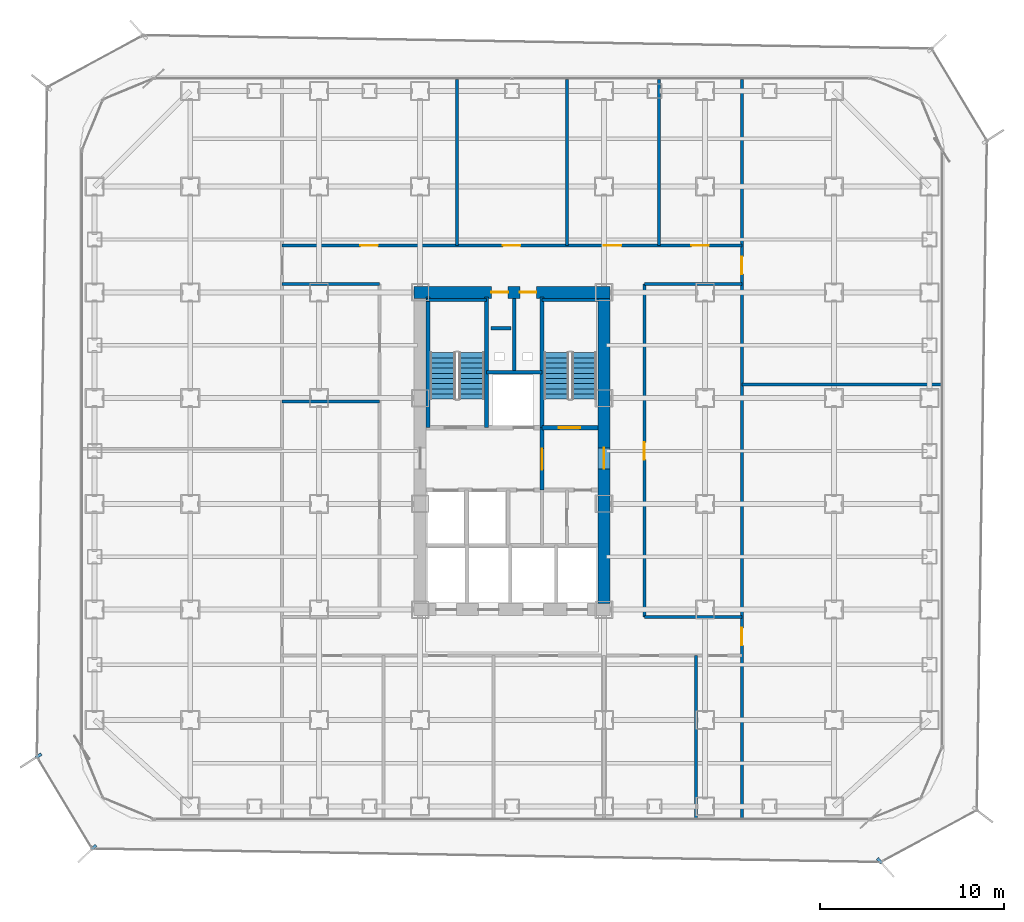
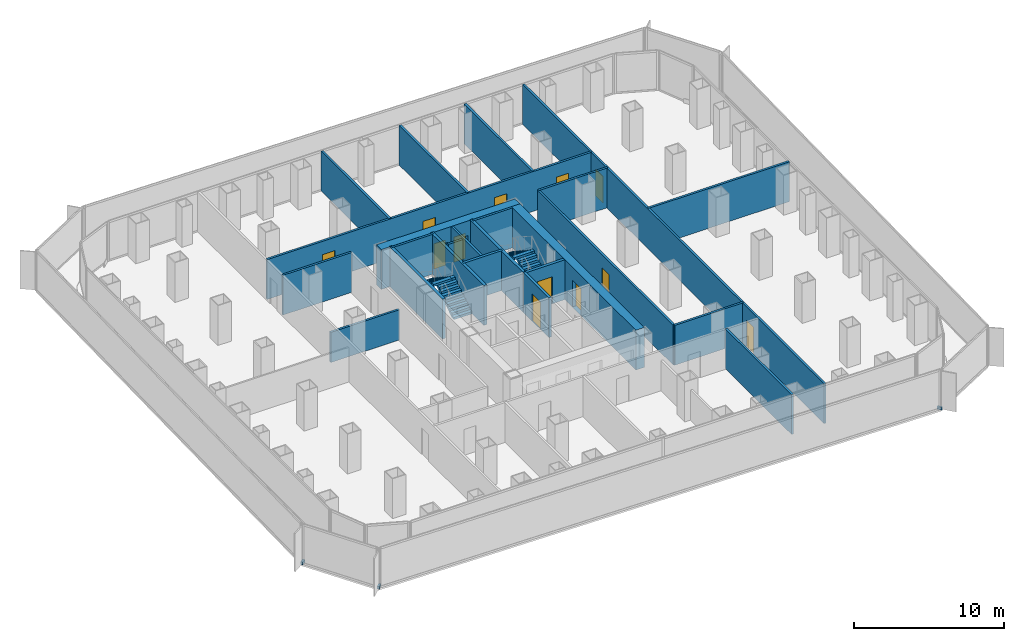
# One storey, part 18 of 22: 24 walls, 12 doors, 4 stair flights, 3 discrete accessories, 12 openings, 2 elements without a shape of their own.
"""IFC4 building model written with IfcOpenShell, lengths in metres."""

from ifc_helpers import new_model, si_unit, direction, frame, frame_2d, origin, origin_2d, place, context, subcontext, project, spatial, polyline, rectangle, outline, extrude, source, transform, mapped, material, layer, layer_set, type_object, element, fill, aggregate, save


model = new_model("IFC4")

# Units and contexts
model_context = context("Model", 3, precision=1e-05, world=origin(), true_north=direction((0.0, 1.0)))
body_context = subcontext(model_context, "Body", "Model", "MODEL_VIEW")
ifc_project = project(units=[si_unit("LENGTHUNIT", "METRE"), si_unit("AREAUNIT", "SQUARE_METRE"), si_unit("VOLUMEUNIT", "CUBIC_METRE"), si_unit("PLANEANGLEUNIT", "RADIAN"), si_unit("MASSUNIT", "GRAM", prefix="KILO")], contexts=[model_context])

# Site, building, storey
site_placement = place(None, origin())
site = spatial("IfcSite", under=ifc_project, at=site_placement, CompositionType="ELEMENT")
building_placement = place(site_placement, origin())
building = spatial("IfcBuilding", under=site, at=building_placement, Name="Kolveth Station Tower", CompositionType="ELEMENT")
storey_placement = place(building_placement, frame((0.0, 0.0, 72.89990234375)))
storey = spatial("IfcBuildingStorey", under=building, at=storey_placement, Name="L19", CompositionType="ELEMENT", Elevation=72.89990234375)

# Wall, openings, doors
ifc_material_1 = material(Name="Concrete C60/75", Category="concrete")
ifc_layer_1 = layer(ifc_material_1, 0.64990234375)
ifc_layer_set_1 = layer_set([ifc_layer_1], Name="Concrete C60/75")
wall_type_1 = type_object("IfcWallType", Name="Wall_CW-650", PredefinedType="SHEAR", material=ifc_layer_set_1)
wall_1_placement = place(storey_placement, frame((18.175048828125, 28.75, 0.0), z_axis=(0.0, 0.0, 1.0), x_axis=(1.0, 0.0, 0.0)))
wall_1 = element("IfcWall", 1, at=wall_1_placement, inside=storey, type_object=wall_type_1, Name="L19 Core RC Shear Wall N", PredefinedType="SHEAR", context=body_context, shape_type="SweptSolid", body=[
    extrude(rectangle(XDim=10.64990234375, YDim=0.64990234375, at=frame_2d((5.324951171875, 0.0))), origin(), (0.0, 0.0, 1.0), 3.239990234375),
])
opening_1_placement = place(wall_1_placement, frame((4.205078125, 0.0, 0.0)))
opening_1 = element("IfcOpeningElement", 2, at=opening_1_placement, cuts=wall_1, Name="Opening RD1", PredefinedType="OPENING", context=body_context, shape_type="SweptSolid", body=[
    extrude(rectangle(XDim=0.89990234375, YDim=2.050048828125, at=frame_2d((0.449951171875, 1.02490234375))), frame((0.0, 0.3349609375, 0.0), z_axis=(0.0, -1.0, 0.0), x_axis=(1.0, 0.0, 0.0)), (0.0, 0.0, 1.0), 0.669921875),
])
opening_2_placement = place(wall_1_placement, frame((5.7451171875, 0.0, 0.0)))
opening_2 = element("IfcOpeningElement", 3, at=opening_2_placement, cuts=wall_1, Name="Opening RD1", PredefinedType="OPENING", context=body_context, shape_type="SweptSolid", body=[
    extrude(rectangle(XDim=0.89990234375, YDim=2.050048828125, at=frame_2d((0.449951171875, 1.02490234375))), frame((0.0, 0.3349609375, 0.0), z_axis=(0.0, -1.0, 0.0), x_axis=(1.0, 0.0, 0.0)), (0.0, 0.0, 1.0), 0.669921875),
])
ifc_material_2 = material(Name="Fire-rated Steel S355 riser access leaf", Category="steel")
door_type_1 = type_object("IfcDoorType", Name="Door_RD1", OperationType="NOTDEFINED", PredefinedType="DOOR", material=ifc_material_2)
door_1_placement = place(opening_1_placement, origin())
door_1 = element("IfcDoor", 4, at=door_1_placement, inside=storey, type_object=door_type_1, Name="L19 Electrical Riser Access Door", OperationType="SINGLE_SWING_LEFT", OverallHeight=2.050048828125, OverallWidth=0.89990234375, PredefinedType="DOOR", context=body_context, shape_type="SweptSolid", body=[
    extrude(rectangle(XDim=0.89990234375, YDim=2.050048828125, at=frame_2d((0.449951171875, 1.02490234375))), frame((0.0, 0.02490234375, 0.0), z_axis=(0.0, -1.0, 0.0), x_axis=(1.0, 0.0, 0.0)), (0.0, 0.0, 1.0), 0.050048828125),
])
fill(opening_1, door_1)
door_2_placement = place(opening_2_placement, origin())
door_2 = element("IfcDoor", 5, at=door_2_placement, inside=storey, type_object=door_type_1, Name="L19 Smoke Duct Access Door", OperationType="SINGLE_SWING_RIGHT", OverallHeight=2.050048828125, OverallWidth=0.89990234375, PredefinedType="DOOR", context=body_context, shape_type="SweptSolid", body=[
    extrude(rectangle(XDim=0.89990234375, YDim=2.050048828125, at=frame_2d((0.449951171875, 1.02490234375))), frame((0.0, 0.02490234375, 0.0), z_axis=(0.0, -1.0, 0.0), x_axis=(1.0, 0.0, 0.0)), (0.0, 0.0, 1.0), 0.050048828125),
])
fill(opening_2, door_2)

# Wall, opening, door
wall_2_placement = place(storey_placement, frame((28.5, 11.824951171875, 0.0), z_axis=(0.0, 0.0, 1.0), x_axis=(0.0, 1.0, 0.0)))
wall_2 = element("IfcWall", 6, at=wall_2_placement, inside=storey, type_object=wall_type_1, Name="L19 Core RC Shear Wall E", PredefinedType="SHEAR", context=body_context, shape_type="SweptSolid", body=[
    extrude(rectangle(XDim=16.60009765625, YDim=0.64990234375, at=frame_2d((8.300048828125, 0.0))), origin(), (0.0, 0.0, 1.0), 3.239990234375),
])
opening_3_placement = place(wall_2_placement, frame((7.324951171875, 0.0, 0.0)))
opening_3 = element("IfcOpeningElement", 7, at=opening_3_placement, cuts=wall_2, Name="Opening FD1", PredefinedType="OPENING", context=body_context, shape_type="SweptSolid", body=[
    extrude(rectangle(XDim=1.14990234375, YDim=2.199951171875, at=frame_2d((0.574951171875, 1.10009765625))), frame((0.0, 0.3349609375, 0.0), z_axis=(0.0, -1.0, 0.0), x_axis=(1.0, 0.0, 0.0)), (0.0, 0.0, 1.0), 0.669921875),
])
ifc_material_3 = material(Name="Fire-rated Steel S355 leaf and frame", Category="steel")
door_type_2 = type_object("IfcDoorType", Name="Door_FD1", OperationType="NOTDEFINED", PredefinedType="DOOR", material=ifc_material_3)
door_3_placement = place(opening_3_placement, origin())
door_3 = element("IfcDoor", 8, at=door_3_placement, inside=storey, type_object=door_type_2, Name="L19 East Corridor to Stair Lobby Door", OperationType="SINGLE_SWING_LEFT", OverallHeight=2.199951171875, OverallWidth=1.14990234375, PredefinedType="DOOR", context=body_context, shape_type="SweptSolid", body=[
    extrude(rectangle(XDim=1.14990234375, YDim=2.199951171875, at=frame_2d((0.574951171875, 1.10009765625))), frame((0.0, 0.02490234375, 0.0), z_axis=(0.0, -1.0, 0.0), x_axis=(1.0, 0.0, 0.0)), (0.0, 0.0, 1.0), 0.050048828125),
])
fill(opening_3, door_3)

# Walls
ifc_material_4 = material(Name="Acoustic double-stud gypsum partition")
ifc_layer_2 = layer(ifc_material_4, 0.1650390625)
ifc_layer_set_2 = layer_set([ifc_layer_2], Name="Acoustic double-stud gypsum partition")
wall_type_2 = type_object("IfcWallType", Name="Wall_IW-165", PredefinedType="PARTITIONING", material=ifc_layer_set_2)
wall_3_placement = place(storey_placement, frame((18.8349609375, 28.3349609375, 0.0), z_axis=(0.0, 0.0, 1.0), x_axis=(1.0, 0.0, 0.0)))
element("IfcWall", 9, at=wall_3_placement, inside=storey, type_object=wall_type_2, Name="L19 Stair Shaft Wall WL-L19-ST1-N", PredefinedType="PARTITIONING", context=body_context, shape_type="SweptSolid", body=[
    extrude(rectangle(XDim=3.275146484375, YDim=0.1650390625, at=frame_2d((1.6376953125, 0.0))), origin(), (0.0, 0.0, 1.0), 3.239990234375),
])
wall_4_placement = place(storey_placement, frame((25.1298828125, 28.3349609375, 0.0), z_axis=(0.0, 0.0, 1.0), x_axis=(1.0, 0.0, 0.0)))
element("IfcWall", 10, at=wall_4_placement, inside=storey, type_object=wall_type_2, Name="L19 Stair Shaft Wall WL-L19-ST2-N", PredefinedType="PARTITIONING", context=body_context, shape_type="SweptSolid", body=[
    extrude(rectangle(XDim=3.03515625, YDim=0.1650390625, at=frame_2d((1.517578125, 0.0))), origin(), (0.0, 0.0, 1.0), 3.239990234375),
])
wall_5_placement = place(storey_placement, frame((23.6201171875, 24.39990234375, 0.0), z_axis=(0.0, 0.0, 1.0), x_axis=(0.0, 1.0, 0.0)))
element("IfcWall", 11, at=wall_5_placement, inside=storey, type_object=wall_type_2, Name="L19 Partition Wall WL-L19-RSR-M", PredefinedType="PARTITIONING", context=body_context, shape_type="SweptSolid", body=[
    extrude(rectangle(XDim=4.01513671875, YDim=0.1650390625, at=frame_2d((2.007568359375, 0.0))), origin(), (0.0, 0.0, 1.0), 3.239990234375),
])

# Wall, openings, doors
wall_6_placement = place(storey_placement, frame((11.0, 31.300048828125, 0.0), z_axis=(0.0, 0.0, 1.0), x_axis=(1.0, 0.0, 0.0)))
wall_6 = element("IfcWall", 12, at=wall_6_placement, inside=storey, type_object=wall_type_2, Name="L19 Partition Wall WL-L19-ON", PredefinedType="PARTITIONING", context=body_context, shape_type="SweptSolid", body=[
    extrude(rectangle(XDim=25.0, YDim=0.1650390625, at=frame_2d((12.5, 0.0))), origin(), (0.0, 0.0, 1.0), 3.239990234375),
])
opening_4_placement = place(wall_6_placement, frame((4.25, 0.0, 0.0)))
opening_4 = element("IfcOpeningElement", 13, at=opening_4_placement, cuts=wall_6, Name="Opening ID1", PredefinedType="OPENING", context=body_context, shape_type="SweptSolid", body=[
    extrude(rectangle(XDim=0.949951171875, YDim=2.14990234375, at=frame_2d((0.47509765625, 1.074951171875))), frame((0.0, 0.092529296875, 0.0), z_axis=(0.0, -1.0, 0.0), x_axis=(1.0, 0.0, 0.0)), (0.0, 0.0, 1.0), 0.18505859375),
])
opening_5_placement = place(wall_6_placement, frame((12.0, 0.0, 0.0)))
opening_5 = element("IfcOpeningElement", 14, at=opening_5_placement, cuts=wall_6, Name="Opening ID1", PredefinedType="OPENING", context=body_context, shape_type="SweptSolid", body=[
    extrude(rectangle(XDim=0.949951171875, YDim=2.14990234375, at=frame_2d((0.47509765625, 1.074951171875))), frame((0.0, 0.092529296875, 0.0), z_axis=(0.0, -1.0, 0.0), x_axis=(1.0, 0.0, 0.0)), (0.0, 0.0, 1.0), 0.18505859375),
])
opening_6_placement = place(wall_6_placement, frame((17.5, 0.0, 0.0)))
opening_6 = element("IfcOpeningElement", 15, at=opening_6_placement, cuts=wall_6, Name="Opening ID1", PredefinedType="OPENING", context=body_context, shape_type="SweptSolid", body=[
    extrude(rectangle(XDim=0.949951171875, YDim=2.14990234375, at=frame_2d((0.47509765625, 1.074951171875))), frame((0.0, 0.092529296875, 0.0), z_axis=(0.0, -1.0, 0.0), x_axis=(1.0, 0.0, 0.0)), (0.0, 0.0, 1.0), 0.18505859375),
])
opening_7_placement = place(wall_6_placement, frame((22.25, 0.0, 0.0)))
opening_7 = element("IfcOpeningElement", 16, at=opening_7_placement, cuts=wall_6, Name="Opening ID1", PredefinedType="OPENING", context=body_context, shape_type="SweptSolid", body=[
    extrude(rectangle(XDim=0.949951171875, YDim=2.14990234375, at=frame_2d((0.47509765625, 1.074951171875))), frame((0.0, 0.092529296875, 0.0), z_axis=(0.0, -1.0, 0.0), x_axis=(1.0, 0.0, 0.0)), (0.0, 0.0, 1.0), 0.18505859375),
])
ifc_material_5 = material(Name="Acoustic hardwood leaf and aluminium frame", Category="wood")
door_type_3 = type_object("IfcDoorType", Name="Door_ID1", OperationType="NOTDEFINED", PredefinedType="DOOR", material=ifc_material_5)
door_4_placement = place(opening_4_placement, origin())
door_4 = element("IfcDoor", 17, at=door_4_placement, inside=storey, type_object=door_type_3, Name="L19 Cellular Office D Door", OperationType="SINGLE_SWING_RIGHT", OverallHeight=2.14990234375, OverallWidth=0.949951171875, PredefinedType="DOOR", context=body_context, shape_type="SweptSolid", body=[
    extrude(rectangle(XDim=0.949951171875, YDim=2.14990234375, at=frame_2d((0.47509765625, 1.074951171875))), frame((0.0, 0.02490234375, 0.0), z_axis=(0.0, -1.0, 0.0), x_axis=(1.0, 0.0, 0.0)), (0.0, 0.0, 1.0), 0.050048828125),
])
fill(opening_4, door_4)
door_5_placement = place(opening_5_placement, origin())
door_5 = element("IfcDoor", 18, at=door_5_placement, inside=storey, type_object=door_type_3, Name="L19 Cellular Office E Door", OperationType="SINGLE_SWING_LEFT", OverallHeight=2.14990234375, OverallWidth=0.949951171875, PredefinedType="DOOR", context=body_context, shape_type="SweptSolid", body=[
    extrude(rectangle(XDim=0.949951171875, YDim=2.14990234375, at=frame_2d((0.47509765625, 1.074951171875))), frame((0.0, 0.02490234375, 0.0), z_axis=(0.0, -1.0, 0.0), x_axis=(1.0, 0.0, 0.0)), (0.0, 0.0, 1.0), 0.050048828125),
])
fill(opening_5, door_5)
door_6_placement = place(opening_6_placement, origin())
door_6 = element("IfcDoor", 19, at=door_6_placement, inside=storey, type_object=door_type_3, Name="L19 Cellular Office F Door", OperationType="SINGLE_SWING_LEFT", OverallHeight=2.14990234375, OverallWidth=0.949951171875, PredefinedType="DOOR", context=body_context, shape_type="SweptSolid", body=[
    extrude(rectangle(XDim=0.949951171875, YDim=2.14990234375, at=frame_2d((0.47509765625, 1.074951171875))), frame((0.0, 0.02490234375, 0.0), z_axis=(0.0, -1.0, 0.0), x_axis=(1.0, 0.0, 0.0)), (0.0, 0.0, 1.0), 0.050048828125),
])
fill(opening_6, door_6)
door_7_placement = place(opening_7_placement, origin())
door_7 = element("IfcDoor", 20, at=door_7_placement, inside=storey, type_object=door_type_3, Name="L19 Office Pantry Door", OperationType="SINGLE_SWING_LEFT", OverallHeight=2.14990234375, OverallWidth=0.949951171875, PredefinedType="DOOR", context=body_context, shape_type="SweptSolid", body=[
    extrude(rectangle(XDim=0.949951171875, YDim=2.14990234375, at=frame_2d((0.47509765625, 1.074951171875))), frame((0.0, 0.02490234375, 0.0), z_axis=(0.0, -1.0, 0.0), x_axis=(1.0, 0.0, 0.0)), (0.0, 0.0, 1.0), 0.050048828125),
])
fill(opening_7, door_7)

# Walls
for number, where, z_axis, x_axis, name in (
    (21, (30.699951171875, 11.10009765625, 0.0), (0.0, 0.0, 1.0), (1.0, 0.0, 0.0), "L19 Partition Wall WL-L19-OSET"),
    (22, (11.0, 29.199951171875, 0.0), (0.0, 0.0, 1.0), (1.0, 0.0, 0.0), "L19 Partition Wall WL-L19-ONWB"),
    (23, (30.699951171875, 29.199951171875, 0.0), (0.0, 0.0, 1.0), (1.0, 0.0, 0.0), "L19 Partition Wall WL-L19-ONEB"),
):
    element("IfcWall", number, at=place(storey_placement, frame(where, z_axis=z_axis, x_axis=x_axis)), inside=storey, type_object=wall_type_2, Name=name, PredefinedType="PARTITIONING", context=body_context, shape_type="SweptSolid", body=[
        extrude(rectangle(XDim=5.300048828125, YDim=0.1650390625, at=frame_2d((2.64990234375, 0.0))), origin(), (0.0, 0.0, 1.0), 3.239990234375),
    ])

# Wall, opening, door
wall_7_placement = place(storey_placement, frame((30.699951171875, 11.10009765625, 0.0), z_axis=(0.0, 0.0, 1.0), x_axis=(0.0, 1.0, 0.0)))
wall_7 = element("IfcWall", 24, at=wall_7_placement, inside=storey, type_object=wall_type_2, Name="L19 Partition Wall WL-L19-OCE", PredefinedType="PARTITIONING", context=body_context, shape_type="SweptSolid", body=[
    extrude(rectangle(XDim=18.099853515625, YDim=0.1650390625, at=frame_2d((9.0498046875, 0.0))), origin(), (0.0, 0.0, 1.0), 3.239990234375),
])
opening_8_placement = place(wall_7_placement, frame((8.550048828125, 0.0, 0.0)))
opening_8 = element("IfcOpeningElement", 25, at=opening_8_placement, cuts=wall_7, Name="Opening ID1", PredefinedType="OPENING", context=body_context, shape_type="SweptSolid", body=[
    extrude(rectangle(XDim=0.949951171875, YDim=2.14990234375, at=frame_2d((0.47509765625, 1.074951171875))), frame((0.0, 0.092529296875, 0.0), z_axis=(0.0, -1.0, 0.0), x_axis=(1.0, 0.0, 0.0)), (0.0, 0.0, 1.0), 0.18505859375),
])
door_8_placement = place(opening_8_placement, origin())
door_8 = element("IfcDoor", 26, at=door_8_placement, inside=storey, type_object=door_type_3, Name="L19 Internal Meeting Room E1 Door", OperationType="SINGLE_SWING_RIGHT", OverallHeight=2.14990234375, OverallWidth=0.949951171875, PredefinedType="DOOR", context=body_context, shape_type="SweptSolid", body=[
    extrude(rectangle(XDim=0.949951171875, YDim=2.14990234375, at=frame_2d((0.47509765625, 1.074951171875))), frame((0.0, 0.02490234375, 0.0), z_axis=(0.0, -1.0, 0.0), x_axis=(1.0, 0.0, 0.0)), (0.0, 0.0, 1.0), 0.050048828125),
])
fill(opening_8, door_8)

# Wall, openings, doors
wall_8_placement = place(storey_placement, frame((36.0, 0.159912109375, 0.0), z_axis=(0.0, 0.0, 1.0), x_axis=(0.0, 1.0, 0.0)))
wall_8 = element("IfcWall", 27, at=wall_8_placement, inside=storey, type_object=wall_type_2, Name="L19 Partition Wall WL-L19-OEEND", PredefinedType="PARTITIONING", context=body_context, shape_type="SweptSolid", body=[
    extrude(rectangle(XDim=40.18017578125, YDim=0.1650390625, at=frame_2d((20.090087890625, 0.0))), origin(), (0.0, 0.0, 1.0), 3.239990234375),
])
opening_9_placement = place(wall_8_placement, frame((9.389892578125, 0.0, 0.0)))
opening_9 = element("IfcOpeningElement", 28, at=opening_9_placement, cuts=wall_8, Name="Opening ID1", PredefinedType="OPENING", context=body_context, shape_type="SweptSolid", body=[
    extrude(rectangle(XDim=0.949951171875, YDim=2.14990234375, at=frame_2d((0.47509765625, 1.074951171875))), frame((0.0, 0.092529296875, 0.0), z_axis=(0.0, -1.0, 0.0), x_axis=(1.0, 0.0, 0.0)), (0.0, 0.0, 1.0), 0.18505859375),
])
opening_10_placement = place(wall_8_placement, frame((29.590087890625, 0.0, 0.0)))
opening_10 = element("IfcOpeningElement", 29, at=opening_10_placement, cuts=wall_8, Name="Opening ID1", PredefinedType="OPENING", context=body_context, shape_type="SweptSolid", body=[
    extrude(rectangle(XDim=0.949951171875, YDim=2.14990234375, at=frame_2d((0.47509765625, 1.074951171875))), frame((0.0, 0.092529296875, 0.0), z_axis=(0.0, -1.0, 0.0), x_axis=(1.0, 0.0, 0.0)), (0.0, 0.0, 1.0), 0.18505859375),
])
door_9_placement = place(opening_9_placement, origin())
door_9 = element("IfcDoor", 30, at=door_9_placement, inside=storey, type_object=door_type_3, Name="L19 East-South Wing Door", OperationType="SINGLE_SWING_RIGHT", OverallHeight=2.14990234375, OverallWidth=0.949951171875, PredefinedType="DOOR", context=body_context, shape_type="SweptSolid", body=[
    extrude(rectangle(XDim=0.949951171875, YDim=2.14990234375, at=frame_2d((0.47509765625, 1.074951171875))), frame((0.0, 0.02490234375, 0.0), z_axis=(0.0, -1.0, 0.0), x_axis=(1.0, 0.0, 0.0)), (0.0, 0.0, 1.0), 0.050048828125),
])
fill(opening_9, door_9)
door_10_placement = place(opening_10_placement, origin())
door_10 = element("IfcDoor", 31, at=door_10_placement, inside=storey, type_object=door_type_3, Name="L19 East-North Wing Door", OperationType="SINGLE_SWING_LEFT", OverallHeight=2.14990234375, OverallWidth=0.949951171875, PredefinedType="DOOR", context=body_context, shape_type="SweptSolid", body=[
    extrude(rectangle(XDim=0.949951171875, YDim=2.14990234375, at=frame_2d((0.47509765625, 1.074951171875))), frame((0.0, 0.02490234375, 0.0), z_axis=(0.0, -1.0, 0.0), x_axis=(1.0, 0.0, 0.0)), (0.0, 0.0, 1.0), 0.050048828125),
])
fill(opening_10, door_10)

# Walls
wall_9_placement = place(storey_placement, frame((33.5, 0.159912109375, 0.0), z_axis=(0.0, 0.0, 1.0), x_axis=(0.0, 1.0, 0.0)))
element("IfcWall", 32, at=wall_9_placement, inside=storey, type_object=wall_type_2, Name="L19 Partition Wall WL-L19-OS-P4", PredefinedType="PARTITIONING", context=body_context, shape_type="SweptSolid", body=[
    extrude(rectangle(XDim=8.840087890625, YDim=0.1650390625, at=frame_2d((4.419921875, 0.0))), origin(), (0.0, 0.0, 1.0), 3.239990234375),
])
for number, where, z_axis, x_axis, name in (
    (33, (20.5, 31.300048828125, 0.0), (0.0, 0.0, 1.0), (0.0, 1.0, 0.0), "L19 Partition Wall WL-L19-ON-P1"),
    (34, (26.5, 31.300048828125, 0.0), (0.0, 0.0, 1.0), (0.0, 1.0, 0.0), "L19 Partition Wall WL-L19-ON-P2"),
    (35, (31.5, 31.300048828125, 0.0), (0.0, 0.0, 1.0), (0.0, 1.0, 0.0), "L19 Partition Wall WL-L19-ON-P3"),
):
    element("IfcWall", number, at=place(storey_placement, frame(where, z_axis=z_axis, x_axis=x_axis)), inside=storey, type_object=wall_type_2, Name=name, PredefinedType="PARTITIONING", context=body_context, shape_type="SweptSolid", body=[
        extrude(rectangle(XDim=9.0400390625, YDim=0.1650390625, at=frame_2d((4.52001953125, 0.0))), origin(), (0.0, 0.0, 1.0), 3.239990234375),
    ])
wall_10_placement = place(storey_placement, frame((36.0, 23.75, 0.0), z_axis=(0.0, 0.0, 1.0), x_axis=(1.0, 0.0, 0.0)))
element("IfcWall", 36, at=wall_10_placement, inside=storey, type_object=wall_type_2, Name="L19 Partition Wall WL-L19-OEM", PredefinedType="PARTITIONING", context=body_context, shape_type="SweptSolid", body=[
    extrude(rectangle(XDim=10.840087890625, YDim=0.1650390625, at=frame_2d((5.419921875, 0.0))), origin(), (0.0, 0.0, 1.0), 3.239990234375),
])
wall_11_placement = place(storey_placement, frame((11.0, 22.825927734375, 0.0), z_axis=(0.0, 0.0, 1.0), x_axis=(1.0, 0.0, 0.0)))
element("IfcWall", 37, at=wall_11_placement, inside=storey, type_object=wall_type_2, Name="L19 Partition Wall WL-L19-OIW-P1", PredefinedType="PARTITIONING", context=body_context, shape_type="SweptSolid", body=[
    extrude(rectangle(XDim=5.300048828125, YDim=0.1650390625, at=frame_2d((2.64990234375, 0.0))), origin(), (0.0, 0.0, 1.0), 2.458984375),
])
wall_12_placement = place(storey_placement, frame((22.35009765625, 26.800048828125, 0.0), z_axis=(0.0, 0.0, 1.0), x_axis=(1.0, 0.0, 0.0)))
element("IfcWall", 38, at=wall_12_placement, inside=storey, type_object=wall_type_2, Name="L19 Acoustic Riser Dry-Lining Wall", PredefinedType="PARTITIONING", context=body_context, shape_type="SweptSolid", body=[
    extrude(rectangle(XDim=1.099853515625, YDim=0.1650390625, at=frame_2d((0.5498046875, 0.0))), origin(), (0.0, 0.0, 1.0), 3.239990234375),
])
ifc_material_6 = material(Name="Acoustic fire-rated gypsum blockwork", Category="masonry")
ifc_layer_3 = layer(ifc_material_6, 0.199951171875)
ifc_layer_set_3 = layer_set([ifc_layer_3], Name="Acoustic fire-rated gypsum blockwork")
wall_type_3 = type_object("IfcWallType", Name="Wall_IW-200", PredefinedType="PARTITIONING", material=ifc_layer_set_3)
wall_13_placement = place(storey_placement, frame((22.110107421875, 24.39990234375, 0.0), z_axis=(0.0, 0.0, 1.0), x_axis=(1.0, 0.0, 0.0)))
element("IfcWall", 39, at=wall_13_placement, inside=storey, type_object=wall_type_3, Name="L19 Partition Wall WL-L19-RSR-S", PredefinedType="PARTITIONING", context=body_context, shape_type="SweptSolid", body=[
    extrude(rectangle(XDim=3.019775390625, YDim=0.199951171875, at=frame_2d((1.509765625, 0.0))), origin(), (0.0, 0.0, 1.0), 3.239990234375),
])

# Wall, opening, door
wall_14_placement = place(storey_placement, frame((25.1298828125, 18.0, 0.0), z_axis=(0.0, 0.0, 1.0), x_axis=(0.0, 1.0, 0.0)))
wall_14 = element("IfcWall", 40, at=wall_14_placement, inside=storey, type_object=wall_type_3, Name="L19 Partition Wall WL-L19-FFL-E", PredefinedType="PARTITIONING", context=body_context, shape_type="SweptSolid", body=[
    extrude(rectangle(XDim=3.389892578125, YDim=0.199951171875, at=frame_2d((1.69482421875, 0.0))), origin(), (0.0, 0.0, 1.0), 3.239990234375),
])
opening_11_placement = place(wall_14_placement, frame((1.10009765625, 0.0, 0.0)))
opening_11 = element("IfcOpeningElement", 41, at=opening_11_placement, cuts=wall_14, Name="Opening FD1", PredefinedType="OPENING", context=body_context, shape_type="SweptSolid", body=[
    extrude(rectangle(XDim=1.14990234375, YDim=2.199951171875, at=frame_2d((0.574951171875, 1.10009765625))), frame((0.0, 0.10986328125, 0.0), z_axis=(0.0, -1.0, 0.0), x_axis=(1.0, 0.0, 0.0)), (0.0, 0.0, 1.0), 0.219970703125),
])
door_11_placement = place(opening_11_placement, origin())
door_11 = element("IfcDoor", 42, at=door_11_placement, inside=storey, type_object=door_type_2, Name="L19 Firefighting to Stair Lobby Door", OperationType="SINGLE_SWING_LEFT", OverallHeight=2.199951171875, OverallWidth=1.14990234375, PredefinedType="DOOR", context=body_context, shape_type="SweptSolid", body=[
    extrude(rectangle(XDim=1.14990234375, YDim=2.199951171875, at=frame_2d((0.574951171875, 1.10009765625))), frame((0.0, 0.02490234375, 0.0), z_axis=(0.0, -1.0, 0.0), x_axis=(1.0, 0.0, 0.0)), (0.0, 0.0, 1.0), 0.050048828125),
])
fill(opening_11, door_11)

# Walls
ifc_material_7 = material(Name="Concrete C40/50", Category="concrete")
ifc_layer_4 = layer(ifc_material_7, 0.219970703125)
ifc_layer_set_4 = layer_set([ifc_layer_4], Name="Concrete C40/50")
wall_type_4 = type_object("IfcWallType", Name="Wall_IW-220", PredefinedType="SOLIDWALL", material=ifc_layer_set_4)
for number, where, z_axis, x_axis, name in (
    (43, (18.929931640625, 21.389892578125, 0.0), (0.0, 0.0, 1.0), (0.0, 1.0, 0.0), "L19 Stair Shaft Wall WL-L19-ST1-W"),
    (44, (22.110107421875, 21.389892578125, 0.0), (0.0, 0.0, 1.0), (0.0, 1.0, 0.0), "L19 Stair Shaft Wall WL-L19-ST1-E"),
    (45, (25.1298828125, 21.389892578125, 0.0), (0.0, 0.0, 1.0), (0.0, 1.0, 0.0), "L19 Stair Shaft Wall WL-L19-ST2-W"),
):
    element("IfcWall", number, at=place(storey_placement, frame(where, z_axis=z_axis, x_axis=x_axis)), inside=storey, type_object=wall_type_4, Name=name, PredefinedType="SOLIDWALL", context=body_context, shape_type="SweptSolid", body=[
        extrude(rectangle(XDim=7.110107421875, YDim=0.219970703125, at=frame_2d((3.55517578125, 0.0))), origin(), (0.0, 0.0, 1.0), 3.239990234375),
    ])

# Wall, opening, door
wall_15_placement = place(storey_placement, frame((25.1298828125, 21.389892578125, 0.0), z_axis=(0.0, 0.0, 1.0), x_axis=(1.0, 0.0, 0.0)))
wall_15 = element("IfcWall", 46, at=wall_15_placement, inside=storey, type_object=wall_type_4, Name="L19 Stair Shaft Wall WL-L19-ST2-S", PredefinedType="SOLIDWALL", context=body_context, shape_type="SweptSolid", body=[
    extrude(rectangle(XDim=3.03515625, YDim=0.219970703125, at=frame_2d((1.517578125, 0.0))), origin(), (0.0, 0.0, 1.0), 3.239990234375),
])
opening_12_placement = place(wall_15_placement, frame((0.919921875, 0.0, 0.0)))
opening_12 = element("IfcOpeningElement", 47, at=opening_12_placement, cuts=wall_15, Name="Opening FD1", PredefinedType="OPENING", context=body_context, shape_type="SweptSolid", body=[
    extrude(rectangle(XDim=1.14990234375, YDim=2.199951171875, at=frame_2d((0.574951171875, 1.10009765625))), frame((0.0, 0.119873046875, 0.0), z_axis=(0.0, -1.0, 0.0), x_axis=(1.0, 0.0, 0.0)), (0.0, 0.0, 1.0), 0.239990234375),
])
door_12_placement = place(opening_12_placement, frame((1.14990234375, 0.0, 0.0), z_axis=(0.0, 0.0, 1.0), x_axis=(-1.0, 0.0, 0.0)))
door_12 = element("IfcDoor", 48, at=door_12_placement, inside=storey, type_object=door_type_2, Name="L19 Stair ST2 Fire Door", OperationType="SINGLE_SWING_RIGHT", OverallHeight=2.199951171875, OverallWidth=1.14990234375, PredefinedType="DOOR", context=body_context, shape_type="SweptSolid", body=[
    extrude(rectangle(XDim=1.14990234375, YDim=2.199951171875, at=frame_2d((0.574951171875, 1.10009765625))), frame((0.0, 0.02490234375, 0.0), z_axis=(0.0, -1.0, 0.0), x_axis=(1.0, 0.0, 0.0)), (0.0, 0.0, 1.0), 0.050048828125),
])
fill(opening_12, door_12)

# Stair, stair flights
stair_type_1 = type_object("IfcStairType", Name="Stair_ST1", PredefinedType="HALF_TURN_STAIR", material=ifc_material_7)
stair_1_placement = place(storey_placement, origin())
stair_1 = element("IfcStair", 49, at=stair_1_placement, inside=storey, type_object=stair_type_1, Name="L19 Tower Exit Stair ST1", PredefinedType="HALF_TURN_STAIR")
ifc_layer_5 = layer(ifc_material_7, 0.179931640625)
ifc_layer_set_5 = layer_set([ifc_layer_5], Name="Concrete C40/50")
stair_flight_type_1 = type_object("IfcStairFlightType", Name="Flight_ST1", PredefinedType="STRAIGHT", material=ifc_layer_set_5)
stair_flight_1_placement = place(storey_placement, frame((21.300048828125, 22.949951171875, 0.0), z_axis=(0.0, 0.0, 1.0), x_axis=(0.0, 1.0, 0.0)))
stair_flight_1 = element("IfcStairFlight", 50, at=stair_flight_1_placement, type_object=stair_flight_type_1, Name="ST1 flight 1", NumberOfRisers=10, NumberOfTreads=9, PredefinedType="STRAIGHT", RiserHeight=0.18, TreadLength=0.28, context=body_context, shape_type="SweptSolid", body=[
    extrude(outline(polyline([(0.0, 0.0), (0.0, 0.179931640625), (0.280029296875, 0.179931640625), (0.280029296875, 0.360107421875), (0.56005859375, 0.360107421875), (0.56005859375, 0.5400390625), (0.840087890625, 0.5400390625), (0.840087890625, 0.719970703125), (1.1201171875, 0.719970703125), (1.1201171875, 0.89990234375), (1.39990234375, 0.89990234375), (1.39990234375, 1.080078125), (1.679931640625, 1.080078125), (1.679931640625, 1.260009765625), (1.9599609375, 1.260009765625), (1.9599609375, 1.43994140625), (2.239990234375, 1.43994140625), (2.239990234375, 1.6201171875), (2.52001953125, 1.6201171875), (2.52001953125, 1.800048828125), (2.52001953125, 1.44189453125), (0.277099609375, 0.0), (0.0, 0.0)])), frame((0.0, 0.699951171875, 0.0), z_axis=(0.0, -1.0, 0.0), x_axis=(1.0, 0.0, 0.0)), (0.0, 0.0, 1.0), 1.39990234375),
])
stair_flight_2_placement = place(storey_placement, frame((19.739990234375, 25.469970703125, 1.800048828125), z_axis=(0.0, 0.0, 1.0), x_axis=(0.0, -1.0, 0.0)))
stair_flight_2 = element("IfcStairFlight", 51, at=stair_flight_2_placement, type_object=stair_flight_type_1, Name="ST1 flight 2", NumberOfRisers=10, NumberOfTreads=9, PredefinedType="STRAIGHT", RiserHeight=0.18, TreadLength=0.28, context=body_context, shape_type="SweptSolid", body=[
    extrude(outline(polyline([(0.0, 0.0), (0.0, 0.179931640625), (0.280029296875, 0.179931640625), (0.280029296875, 0.360107421875), (0.56005859375, 0.360107421875), (0.56005859375, 0.5400390625), (0.840087890625, 0.5400390625), (0.840087890625, 0.719970703125), (1.1201171875, 0.719970703125), (1.1201171875, 0.89990234375), (1.39990234375, 0.89990234375), (1.39990234375, 1.080078125), (1.679931640625, 1.080078125), (1.679931640625, 1.260009765625), (1.9599609375, 1.260009765625), (1.9599609375, 1.43994140625), (2.239990234375, 1.43994140625), (2.239990234375, 1.6201171875), (2.52001953125, 1.6201171875), (2.52001953125, 1.800048828125), (2.52001953125, 1.44189453125), (0.277099609375, 0.0), (0.0, 0.0)])), frame((0.0, 0.699951171875, 0.0), z_axis=(0.0, -1.0, 0.0), x_axis=(1.0, 0.0, 0.0)), (0.0, 0.0, 1.0), 1.39990234375),
])
aggregate(stair_1, [stair_flight_1, stair_flight_2])

stair_type_2 = type_object("IfcStairType", Name="Stair_ST2", PredefinedType="HALF_TURN_STAIR", material=ifc_material_7)
stair_2_placement = place(storey_placement, origin())
stair_2 = element("IfcStair", 52, at=stair_2_placement, inside=storey, type_object=stair_type_2, Name="L19 Tower Exit Stair ST2", PredefinedType="HALF_TURN_STAIR")
ifc_layer_6 = layer(ifc_material_7, 0.179931640625)
ifc_layer_set_6 = layer_set([ifc_layer_6], Name="Concrete C40/50")
stair_flight_type_2 = type_object("IfcStairFlightType", Name="Flight_ST2", PredefinedType="STRAIGHT", material=ifc_layer_set_6)
stair_flight_3_placement = place(storey_placement, frame((27.425048828125, 22.949951171875, 0.0), z_axis=(0.0, 0.0, 1.0), x_axis=(0.0, 1.0, 0.0)))
stair_flight_3 = element("IfcStairFlight", 53, at=stair_flight_3_placement, type_object=stair_flight_type_2, Name="ST2 flight 1", NumberOfRisers=10, NumberOfTreads=9, PredefinedType="STRAIGHT", RiserHeight=0.18, TreadLength=0.28, context=body_context, shape_type="SweptSolid", body=[
    extrude(outline(polyline([(0.0, 0.0), (0.0, 0.179931640625), (0.280029296875, 0.179931640625), (0.280029296875, 0.360107421875), (0.56005859375, 0.360107421875), (0.56005859375, 0.5400390625), (0.840087890625, 0.5400390625), (0.840087890625, 0.719970703125), (1.1201171875, 0.719970703125), (1.1201171875, 0.89990234375), (1.39990234375, 0.89990234375), (1.39990234375, 1.080078125), (1.679931640625, 1.080078125), (1.679931640625, 1.260009765625), (1.9599609375, 1.260009765625), (1.9599609375, 1.43994140625), (2.239990234375, 1.43994140625), (2.239990234375, 1.6201171875), (2.52001953125, 1.6201171875), (2.52001953125, 1.800048828125), (2.52001953125, 1.44189453125), (0.277099609375, 0.0), (0.0, 0.0)])), frame((0.0, 0.675048828125, 0.0), z_axis=(0.0, -1.0, 0.0), x_axis=(1.0, 0.0, 0.0)), (0.0, 0.0, 1.0), 1.35009765625),
])
stair_flight_4_placement = place(storey_placement, frame((25.9150390625, 25.469970703125, 1.800048828125), z_axis=(0.0, 0.0, 1.0), x_axis=(0.0, -1.0, 0.0)))
stair_flight_4 = element("IfcStairFlight", 54, at=stair_flight_4_placement, type_object=stair_flight_type_2, Name="ST2 flight 2", NumberOfRisers=10, NumberOfTreads=9, PredefinedType="STRAIGHT", RiserHeight=0.18, TreadLength=0.28, context=body_context, shape_type="SweptSolid", body=[
    extrude(outline(polyline([(0.0, 0.0), (0.0, 0.179931640625), (0.280029296875, 0.179931640625), (0.280029296875, 0.360107421875), (0.56005859375, 0.360107421875), (0.56005859375, 0.5400390625), (0.840087890625, 0.5400390625), (0.840087890625, 0.719970703125), (1.1201171875, 0.719970703125), (1.1201171875, 0.89990234375), (1.39990234375, 0.89990234375), (1.39990234375, 1.080078125), (1.679931640625, 1.080078125), (1.679931640625, 1.260009765625), (1.9599609375, 1.260009765625), (1.9599609375, 1.43994140625), (2.239990234375, 1.43994140625), (2.239990234375, 1.6201171875), (2.52001953125, 1.6201171875), (2.52001953125, 1.800048828125), (2.52001953125, 1.44189453125), (0.277099609375, 0.0), (0.0, 0.0)])), frame((0.0, 0.675048828125, 0.0), z_axis=(0.0, -1.0, 0.0), x_axis=(1.0, 0.0, 0.0)), (0.0, 0.0, 1.0), 1.35009765625),
])
aggregate(stair_2, [stair_flight_3, stair_flight_4])

# Discrete accessories
ifc_material_8 = material(Name="Steel S355", Category="steel")
discrete_accessory_type = type_object("IfcDiscreteAccessoryType", Name="Bracket_BK1", PredefinedType="BRACKET", material=ifc_material_8)
shared_shape = source(origin(), body_context, "Body", "SweptSolid", [
    extrude(rectangle(XDim=0.35009765625, YDim=0.159912109375, at=origin_2d()), origin(), (0.0, 0.0, 1.0), 0.219970703125),
])
for number, where, z_axis, x_axis, name in (
    (55, (43.48291015625, -2.157958984375, -0.06005859375), (0.0, 0.0, 1.0), (0.665621202286, -0.746289766155, 0.0), "L19 Double-Skin Radial Tie Bracket 1"),
    (56, (-2.2470703125, 3.552001953125, -0.06005859375), (0.0, 0.0, 1.0), (-0.839050593311, -0.544053399827, 0.0), "L19 Double-Skin Radial Tie Bracket 7"),
    (57, (0.7490234375, -1.43408203125, -0.06005859375), (0.0, 0.0, 1.0), (-0.723931094691, -0.689872285383, 0.0), "L19 Double-Skin Radial Tie Bracket 8"),
):
    element("IfcDiscreteAccessory", number, at=place(storey_placement, frame(where, z_axis=z_axis, x_axis=x_axis)), inside=storey, type_object=discrete_accessory_type, Name=name, PredefinedType="BRACKET", context=body_context, shape_type="MappedRepresentation", body=[
        mapped(shared_shape, transform((0.0, 0.0, 0.0), x_axis=(1.0, 0.0, 0.0), y_axis=(0.0, 1.0, 0.0), z_axis=(0.0, 0.0, 1.0), scale=1.0)),
    ])

save(model, "model.ifc")
